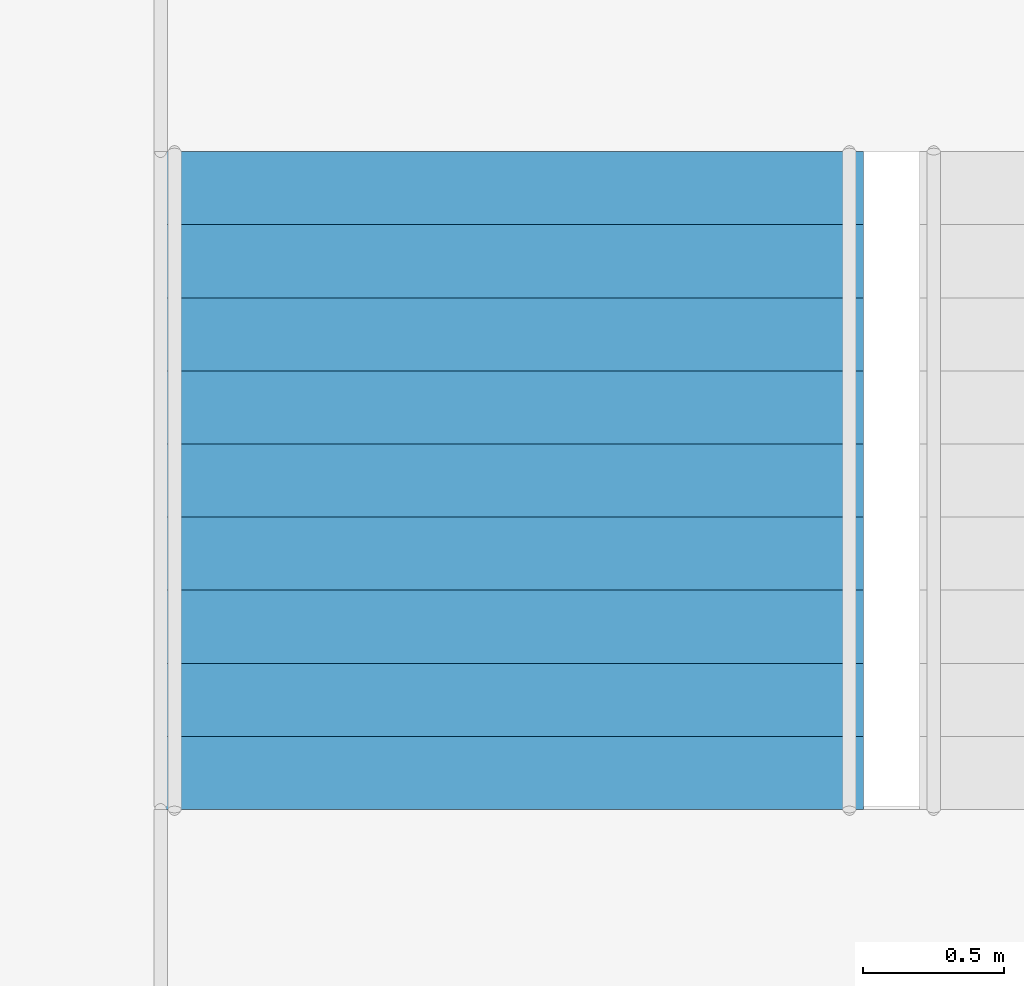
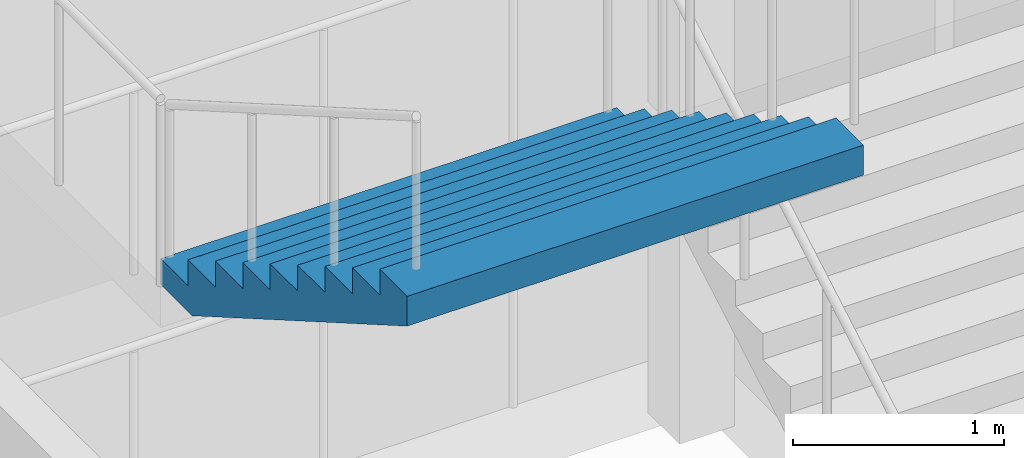
# One storey, part 47 of 100: 1 stair flight, 1 element without a shape of its own.
"""IFC4 building model written with IfcOpenShell, lengths in metres."""

from ifc_helpers import new_model, si_unit, direction, frame, origin, place, context, subcontext, project, spatial, triangles, material, type_object, element, aggregate, save


model = new_model("IFC4")

# Units and contexts
model_context = context("Model", 3, precision=1e-05, world=origin(), true_north=direction((0.0, 1.0)))
body_context = subcontext(model_context, "Body", "Model", "MODEL_VIEW")
ifc_project = project(units=[si_unit("LENGTHUNIT", "METRE"), si_unit("AREAUNIT", "SQUARE_METRE"), si_unit("VOLUMEUNIT", "CUBIC_METRE"), si_unit("PLANEANGLEUNIT", "RADIAN"), si_unit("MASSUNIT", "GRAM", prefix="KILO")], contexts=[model_context])

# Site, building, storey
site_placement = place(None, origin())
site = spatial("IfcSite", under=ifc_project, at=site_placement, CompositionType="ELEMENT")
building_placement = place(site_placement, origin())
building = spatial("IfcBuilding", under=site, at=building_placement, Name="Hakoniwa Tower and Hamabe Station Hall", CompositionType="ELEMENT")
storey_placement = place(building_placement, frame((0.0, 0.0, 9.0)))
storey = spatial("IfcBuildingStorey", under=building, at=storey_placement, Name="L02", CompositionType="ELEMENT", Elevation=9.0)

# Stair, stair flight
ifc_material_1 = material(Name="Concrete C40", Category="concrete")
stair_type = type_object("IfcStairType", Name="STAIR 2500 10X150", PredefinedType="HALF_TURN_STAIR", material=ifc_material_1)
stair_placement = place(storey_placement, origin())
stair = element("IfcStair", 1, at=stair_placement, inside=storey, type_object=stair_type, Name="Escape stair PS3", PredefinedType="HALF_TURN_STAIR")
ifc_material_2 = material(Name="Concrete C40", Category="concrete")
stair_flight_type = type_object("IfcStairFlightType", Name="STAIR FLIGHT 2500", PredefinedType="STRAIGHT", material=ifc_material_2)
stair_flight_placement = place(storey_placement, frame((45.10009765625, -20.010009765625, 4.5), z_axis=(0.0, 0.0, 1.0), x_axis=(0.0, -1.0, 0.0)))
stair_flight = element("IfcStairFlight", 2, at=stair_flight_placement, type_object=stair_flight_type, Name="PS3 flight 4", NumberOfRisers=10, NumberOfTreads=9, PredefinedType="STRAIGHT", RiserHeight=0.15, TreadLength=0.26, context=body_context, shape_type="Tessellation", body=[
    triangles([(0.0, 1.25, 0.0), (0.260009765625, 1.25, 0.0), (0.300048828125, 1.25, 0.0), (0.52001953125, 1.25, 0.126953125), (0.780029296875, 1.25, 0.27685546875), (1.0400390625, 1.25, 0.427001953125), (1.300048828125, 1.25, 0.576904296875), (1.56005859375, 1.25, 0.72705078125), (1.820068359375, 1.25, 0.876953125), (2.080078125, 1.25, 1.02685546875), (2.340087890625, 1.25, 1.177001953125), (2.340087890625, 1.25, 1.35009765625), (2.080078125, 1.25, 1.35009765625), (2.080078125, 1.25, 1.199951171875), (1.820068359375, 1.25, 1.199951171875), (1.820068359375, 1.25, 1.050048828125), (1.56005859375, 1.25, 1.050048828125), (1.56005859375, 1.25, 0.89990234375), (1.300048828125, 1.25, 0.89990234375), (1.300048828125, 1.25, 0.75), (1.0400390625, 1.25, 0.75), (1.0400390625, 1.25, 0.60009765625), (0.780029296875, 1.25, 0.60009765625), (0.780029296875, 1.25, 0.449951171875), (0.52001953125, 1.25, 0.449951171875), (0.52001953125, 1.25, 0.300048828125), (0.300048828125, 1.25, 0.300048828125), (0.260009765625, 1.25, 0.300048828125), (0.260009765625, 1.25, 0.14990234375), (0.0, 1.25, 0.14990234375), (0.0, 0.06005859375, 0.0), (0.260009765625, 0.06005859375, 0.0), (0.300048828125, 0.06005859375, 0.0), (0.52001953125, 0.06005859375, 0.126953125), (0.780029296875, 0.06005859375, 0.27685546875), (1.0400390625, 0.06005859375, 0.427001953125), (1.300048828125, 0.06005859375, 0.576904296875), (1.56005859375, 0.06005859375, 0.72705078125), (1.820068359375, 0.06005859375, 0.876953125), (2.080078125, 0.06005859375, 1.02685546875), (2.340087890625, 0.06005859375, 1.177001953125), (2.340087890625, 0.06005859375, 1.35009765625), (2.080078125, 0.06005859375, 1.35009765625), (2.080078125, 0.06005859375, 1.199951171875), (1.820068359375, 0.06005859375, 1.199951171875), (1.820068359375, 0.06005859375, 1.050048828125), (1.56005859375, 0.06005859375, 1.050048828125), (1.56005859375, 0.06005859375, 0.89990234375), (1.300048828125, 0.06005859375, 0.89990234375), (1.300048828125, 0.06005859375, 0.75), (1.0400390625, 0.06005859375, 0.75), (1.0400390625, 0.06005859375, 0.60009765625), (0.780029296875, 0.06005859375, 0.60009765625), (0.780029296875, 0.06005859375, 0.449951171875), (0.52001953125, 0.06005859375, 0.449951171875), (0.52001953125, 0.06005859375, 0.300048828125), (0.300048828125, 0.06005859375, 0.300048828125), (0.260009765625, 0.06005859375, 0.300048828125), (0.260009765625, 0.06005859375, 0.14990234375), (0.0, 0.06005859375, 0.14990234375), (0.0, 0.049072265625, 0.0), (0.260009765625, 0.049072265625, 0.0), (0.300048828125, 0.049072265625, 0.0), (0.52001953125, 0.049072265625, 0.126953125), (0.780029296875, 0.049072265625, 0.27685546875), (1.0400390625, 0.049072265625, 0.427001953125), (1.300048828125, 0.049072265625, 0.576904296875), (1.56005859375, 0.049072265625, 0.72705078125), (1.820068359375, 0.049072265625, 0.876953125), (2.080078125, 0.049072265625, 1.02685546875), (2.340087890625, 0.049072265625, 1.177001953125), (2.340087890625, 0.049072265625, 1.35009765625), (2.080078125, 0.049072265625, 1.35009765625), (2.080078125, 0.049072265625, 1.199951171875), (1.820068359375, 0.049072265625, 1.199951171875), (1.820068359375, 0.049072265625, 1.050048828125), (1.56005859375, 0.049072265625, 1.050048828125), (1.56005859375, 0.049072265625, 0.89990234375), (1.300048828125, 0.049072265625, 0.89990234375), (1.300048828125, 0.049072265625, 0.75), (1.0400390625, 0.049072265625, 0.75), (1.0400390625, 0.049072265625, 0.60009765625), (0.780029296875, 0.049072265625, 0.60009765625), (0.780029296875, 0.049072265625, 0.449951171875), (0.52001953125, 0.049072265625, 0.449951171875), (0.52001953125, 0.049072265625, 0.300048828125), (0.300048828125, 0.049072265625, 0.300048828125), (0.260009765625, 0.049072265625, 0.300048828125), (0.260009765625, 0.049072265625, 0.14990234375), (0.0, 0.049072265625, 0.14990234375), (0.0, 0.0380859375, 0.0), (0.260009765625, 0.0380859375, 0.0), (0.300048828125, 0.0380859375, 0.0), (0.52001953125, 0.0380859375, 0.126953125), (0.780029296875, 0.0380859375, 0.27685546875), (1.0400390625, 0.0380859375, 0.427001953125), (1.300048828125, 0.0380859375, 0.576904296875), (1.56005859375, 0.0380859375, 0.72705078125), (1.820068359375, 0.0380859375, 0.876953125), (2.080078125, 0.0380859375, 1.02685546875), (2.340087890625, 0.0380859375, 1.177001953125), (2.340087890625, 0.0380859375, 1.35009765625), (2.080078125, 0.0380859375, 1.35009765625), (2.080078125, 0.0380859375, 1.199951171875), (1.820068359375, 0.0380859375, 1.199951171875), (1.820068359375, 0.0380859375, 1.050048828125), (1.56005859375, 0.0380859375, 1.050048828125), (1.56005859375, 0.0380859375, 0.89990234375), (1.300048828125, 0.0380859375, 0.89990234375), (1.300048828125, 0.0380859375, 0.75), (1.0400390625, 0.0380859375, 0.75), (1.0400390625, 0.0380859375, 0.60009765625), (0.780029296875, 0.0380859375, 0.60009765625), (0.780029296875, 0.0380859375, 0.449951171875), (0.52001953125, 0.0380859375, 0.449951171875), (0.52001953125, 0.0380859375, 0.300048828125), (0.300048828125, 0.0380859375, 0.300048828125), (0.260009765625, 0.0380859375, 0.300048828125), (0.260009765625, 0.0380859375, 0.14990234375), (0.0, 0.0380859375, 0.14990234375), (0.0, 0.02734375, 0.0), (0.260009765625, 0.02734375, 0.0), (0.300048828125, 0.02734375, 0.0), (0.52001953125, 0.02734375, 0.126953125), (0.780029296875, 0.02734375, 0.27685546875), (1.0400390625, 0.02734375, 0.427001953125), (1.300048828125, 0.02734375, 0.576904296875), (1.56005859375, 0.02734375, 0.72705078125), (1.820068359375, 0.02734375, 0.876953125), (2.080078125, 0.02734375, 1.02685546875), (2.340087890625, 0.02734375, 1.177001953125), (2.340087890625, 0.02734375, 1.35009765625), (2.080078125, 0.02734375, 1.35009765625), (2.080078125, 0.02734375, 1.199951171875), (1.820068359375, 0.02734375, 1.199951171875), (1.820068359375, 0.02734375, 1.050048828125), (1.56005859375, 0.02734375, 1.050048828125), (1.56005859375, 0.02734375, 0.89990234375), (1.300048828125, 0.02734375, 0.89990234375), (1.300048828125, 0.02734375, 0.75), (1.0400390625, 0.02734375, 0.75), (1.0400390625, 0.02734375, 0.60009765625), (0.780029296875, 0.02734375, 0.60009765625), (0.780029296875, 0.02734375, 0.449951171875), (0.52001953125, 0.02734375, 0.449951171875), (0.52001953125, 0.02734375, 0.300048828125), (0.300048828125, 0.02734375, 0.300048828125), (0.260009765625, 0.02734375, 0.300048828125), (0.260009765625, 0.02734375, 0.14990234375), (0.0, 0.02734375, 0.14990234375), (0.0, 0.016357421875, 0.0), (0.260009765625, 0.016357421875, 0.0), (0.300048828125, 0.016357421875, 0.0), (0.52001953125, 0.016357421875, 0.126953125), (0.780029296875, 0.016357421875, 0.27685546875), (1.0400390625, 0.016357421875, 0.427001953125), (1.300048828125, 0.016357421875, 0.576904296875), (1.56005859375, 0.016357421875, 0.72705078125), (1.820068359375, 0.016357421875, 0.876953125), (2.080078125, 0.016357421875, 1.02685546875), (2.340087890625, 0.016357421875, 1.177001953125), (2.340087890625, 0.016357421875, 1.35009765625), (2.080078125, 0.016357421875, 1.35009765625), (2.080078125, 0.016357421875, 1.199951171875), (1.820068359375, 0.016357421875, 1.199951171875), (1.820068359375, 0.016357421875, 1.050048828125), (1.56005859375, 0.016357421875, 1.050048828125), (1.56005859375, 0.016357421875, 0.89990234375), (1.300048828125, 0.016357421875, 0.89990234375), (1.300048828125, 0.016357421875, 0.75), (1.0400390625, 0.016357421875, 0.75), (1.0400390625, 0.016357421875, 0.60009765625), (0.780029296875, 0.016357421875, 0.60009765625), (0.780029296875, 0.016357421875, 0.449951171875), (0.52001953125, 0.016357421875, 0.449951171875), (0.52001953125, 0.016357421875, 0.300048828125), (0.300048828125, 0.016357421875, 0.300048828125), (0.260009765625, 0.016357421875, 0.300048828125), (0.260009765625, 0.016357421875, 0.14990234375), (0.0, 0.016357421875, 0.14990234375), (0.0, 0.00537109375, 0.0), (0.260009765625, 0.00537109375, 0.0), (0.300048828125, 0.00537109375, 0.0), (0.52001953125, 0.00537109375, 0.126953125), (0.780029296875, 0.00537109375, 0.27685546875), (1.0400390625, 0.00537109375, 0.427001953125), (1.300048828125, 0.00537109375, 0.576904296875), (1.56005859375, 0.00537109375, 0.72705078125), (1.820068359375, 0.00537109375, 0.876953125), (2.080078125, 0.00537109375, 1.02685546875), (2.340087890625, 0.00537109375, 1.177001953125), (2.340087890625, 0.00537109375, 1.35009765625), (2.080078125, 0.00537109375, 1.35009765625), (2.080078125, 0.00537109375, 1.199951171875), (1.820068359375, 0.00537109375, 1.199951171875), (1.820068359375, 0.00537109375, 1.050048828125), (1.56005859375, 0.00537109375, 1.050048828125), (1.56005859375, 0.00537109375, 0.89990234375), (1.300048828125, 0.00537109375, 0.89990234375), (1.300048828125, 0.00537109375, 0.75), (1.0400390625, 0.00537109375, 0.75), (1.0400390625, 0.00537109375, 0.60009765625), (0.780029296875, 0.00537109375, 0.60009765625), (0.780029296875, 0.00537109375, 0.449951171875), (0.52001953125, 0.00537109375, 0.449951171875), (0.52001953125, 0.00537109375, 0.300048828125), (0.300048828125, 0.00537109375, 0.300048828125), (0.260009765625, 0.00537109375, 0.300048828125), (0.260009765625, 0.00537109375, 0.14990234375), (0.0, 0.00537109375, 0.14990234375), (0.0, -0.00537109375, 0.0), (0.260009765625, -0.00537109375, 0.0), (0.300048828125, -0.00537109375, 0.0), (0.52001953125, -0.00537109375, 0.126953125), (0.780029296875, -0.00537109375, 0.27685546875), (1.0400390625, -0.00537109375, 0.427001953125), (1.300048828125, -0.00537109375, 0.576904296875), (1.56005859375, -0.00537109375, 0.72705078125), (1.820068359375, -0.00537109375, 0.876953125), (2.080078125, -0.00537109375, 1.02685546875), (2.340087890625, -0.00537109375, 1.177001953125), (2.340087890625, -0.00537109375, 1.35009765625), (2.080078125, -0.00537109375, 1.35009765625), (2.080078125, -0.00537109375, 1.199951171875), (1.820068359375, -0.00537109375, 1.199951171875), (1.820068359375, -0.00537109375, 1.050048828125), (1.56005859375, -0.00537109375, 1.050048828125), (1.56005859375, -0.00537109375, 0.89990234375), (1.300048828125, -0.00537109375, 0.89990234375), (1.300048828125, -0.00537109375, 0.75), (1.0400390625, -0.00537109375, 0.75), (1.0400390625, -0.00537109375, 0.60009765625), (0.780029296875, -0.00537109375, 0.60009765625), (0.780029296875, -0.00537109375, 0.449951171875), (0.52001953125, -0.00537109375, 0.449951171875), (0.52001953125, -0.00537109375, 0.300048828125), (0.300048828125, -0.00537109375, 0.300048828125), (0.260009765625, -0.00537109375, 0.300048828125), (0.260009765625, -0.00537109375, 0.14990234375), (0.0, -0.00537109375, 0.14990234375), (0.0, -0.016357421875, 0.0), (0.260009765625, -0.016357421875, 0.0), (0.300048828125, -0.016357421875, 0.0), (0.52001953125, -0.016357421875, 0.126953125), (0.780029296875, -0.016357421875, 0.27685546875), (1.0400390625, -0.016357421875, 0.427001953125), (1.300048828125, -0.016357421875, 0.576904296875), (1.56005859375, -0.016357421875, 0.72705078125), (1.820068359375, -0.016357421875, 0.876953125), (2.080078125, -0.016357421875, 1.02685546875), (2.340087890625, -0.016357421875, 1.177001953125), (2.340087890625, -0.016357421875, 1.35009765625), (2.080078125, -0.016357421875, 1.35009765625), (2.080078125, -0.016357421875, 1.199951171875), (1.820068359375, -0.016357421875, 1.199951171875), (1.820068359375, -0.016357421875, 1.050048828125), (1.56005859375, -0.016357421875, 1.050048828125), (1.56005859375, -0.016357421875, 0.89990234375), (1.300048828125, -0.016357421875, 0.89990234375), (1.300048828125, -0.016357421875, 0.75), (1.0400390625, -0.016357421875, 0.75), (1.0400390625, -0.016357421875, 0.60009765625), (0.780029296875, -0.016357421875, 0.60009765625), (0.780029296875, -0.016357421875, 0.449951171875), (0.52001953125, -0.016357421875, 0.449951171875), (0.52001953125, -0.016357421875, 0.300048828125), (0.300048828125, -0.016357421875, 0.300048828125), (0.260009765625, -0.016357421875, 0.300048828125), (0.260009765625, -0.016357421875, 0.14990234375), (0.0, -0.016357421875, 0.14990234375), (0.0, -0.02734375, 0.0), (0.260009765625, -0.02734375, 0.0), (0.300048828125, -0.02734375, 0.0), (0.52001953125, -0.02734375, 0.126953125), (0.780029296875, -0.02734375, 0.27685546875), (1.0400390625, -0.02734375, 0.427001953125), (1.300048828125, -0.02734375, 0.576904296875), (1.56005859375, -0.02734375, 0.72705078125), (1.820068359375, -0.02734375, 0.876953125), (2.080078125, -0.02734375, 1.02685546875), (2.340087890625, -0.02734375, 1.177001953125), (2.340087890625, -0.02734375, 1.35009765625), (2.080078125, -0.02734375, 1.35009765625), (2.080078125, -0.02734375, 1.199951171875), (1.820068359375, -0.02734375, 1.199951171875), (1.820068359375, -0.02734375, 1.050048828125), (1.56005859375, -0.02734375, 1.050048828125), (1.56005859375, -0.02734375, 0.89990234375), (1.300048828125, -0.02734375, 0.89990234375), (1.300048828125, -0.02734375, 0.75), (1.0400390625, -0.02734375, 0.75), (1.0400390625, -0.02734375, 0.60009765625), (0.780029296875, -0.02734375, 0.60009765625), (0.780029296875, -0.02734375, 0.449951171875), (0.52001953125, -0.02734375, 0.449951171875), (0.52001953125, -0.02734375, 0.300048828125), (0.300048828125, -0.02734375, 0.300048828125), (0.260009765625, -0.02734375, 0.300048828125), (0.260009765625, -0.02734375, 0.14990234375), (0.0, -0.02734375, 0.14990234375), (0.0, -0.0380859375, 0.0), (0.260009765625, -0.0380859375, 0.0), (0.300048828125, -0.0380859375, 0.0), (0.52001953125, -0.0380859375, 0.126953125), (0.780029296875, -0.0380859375, 0.27685546875), (1.0400390625, -0.0380859375, 0.427001953125), (1.300048828125, -0.0380859375, 0.576904296875), (1.56005859375, -0.0380859375, 0.72705078125), (1.820068359375, -0.0380859375, 0.876953125), (2.080078125, -0.0380859375, 1.02685546875), (2.340087890625, -0.0380859375, 1.177001953125), (2.340087890625, -0.0380859375, 1.35009765625), (2.080078125, -0.0380859375, 1.35009765625), (2.080078125, -0.0380859375, 1.199951171875), (1.820068359375, -0.0380859375, 1.199951171875), (1.820068359375, -0.0380859375, 1.050048828125), (1.56005859375, -0.0380859375, 1.050048828125), (1.56005859375, -0.0380859375, 0.89990234375), (1.300048828125, -0.0380859375, 0.89990234375), (1.300048828125, -0.0380859375, 0.75), (1.0400390625, -0.0380859375, 0.75), (1.0400390625, -0.0380859375, 0.60009765625), (0.780029296875, -0.0380859375, 0.60009765625), (0.780029296875, -0.0380859375, 0.449951171875), (0.52001953125, -0.0380859375, 0.449951171875), (0.52001953125, -0.0380859375, 0.300048828125), (0.300048828125, -0.0380859375, 0.300048828125), (0.260009765625, -0.0380859375, 0.300048828125), (0.260009765625, -0.0380859375, 0.14990234375), (0.0, -0.0380859375, 0.14990234375), (0.0, -0.049072265625, 0.0), (0.260009765625, -0.049072265625, 0.0), (0.300048828125, -0.049072265625, 0.0), (0.52001953125, -0.049072265625, 0.126953125), (0.780029296875, -0.049072265625, 0.27685546875), (1.0400390625, -0.049072265625, 0.427001953125), (1.300048828125, -0.049072265625, 0.576904296875), (1.56005859375, -0.049072265625, 0.72705078125), (1.820068359375, -0.049072265625, 0.876953125), (2.080078125, -0.049072265625, 1.02685546875), (2.340087890625, -0.049072265625, 1.177001953125), (2.340087890625, -0.049072265625, 1.35009765625), (2.080078125, -0.049072265625, 1.35009765625), (2.080078125, -0.049072265625, 1.199951171875), (1.820068359375, -0.049072265625, 1.199951171875), (1.820068359375, -0.049072265625, 1.050048828125), (1.56005859375, -0.049072265625, 1.050048828125), (1.56005859375, -0.049072265625, 0.89990234375), (1.300048828125, -0.049072265625, 0.89990234375), (1.300048828125, -0.049072265625, 0.75), (1.0400390625, -0.049072265625, 0.75), (1.0400390625, -0.049072265625, 0.60009765625), (0.780029296875, -0.049072265625, 0.60009765625), (0.780029296875, -0.049072265625, 0.449951171875), (0.52001953125, -0.049072265625, 0.449951171875), (0.52001953125, -0.049072265625, 0.300048828125), (0.300048828125, -0.049072265625, 0.300048828125), (0.260009765625, -0.049072265625, 0.300048828125), (0.260009765625, -0.049072265625, 0.14990234375), (0.0, -0.049072265625, 0.14990234375), (0.0, -0.06005859375, 0.0), (0.260009765625, -0.06005859375, 0.0), (0.300048828125, -0.06005859375, 0.0), (0.52001953125, -0.06005859375, 0.126953125), (0.780029296875, -0.06005859375, 0.27685546875), (1.0400390625, -0.06005859375, 0.427001953125), (1.300048828125, -0.06005859375, 0.576904296875), (1.56005859375, -0.06005859375, 0.72705078125), (1.820068359375, -0.06005859375, 0.876953125), (2.080078125, -0.06005859375, 1.02685546875), (2.340087890625, -0.06005859375, 1.177001953125), (2.340087890625, -0.06005859375, 1.35009765625), (2.080078125, -0.06005859375, 1.35009765625), (2.080078125, -0.06005859375, 1.199951171875), (1.820068359375, -0.06005859375, 1.199951171875), (1.820068359375, -0.06005859375, 1.050048828125), (1.56005859375, -0.06005859375, 1.050048828125), (1.56005859375, -0.06005859375, 0.89990234375), (1.300048828125, -0.06005859375, 0.89990234375), (1.300048828125, -0.06005859375, 0.75), (1.0400390625, -0.06005859375, 0.75), (1.0400390625, -0.06005859375, 0.60009765625), (0.780029296875, -0.06005859375, 0.60009765625), (0.780029296875, -0.06005859375, 0.449951171875), (0.52001953125, -0.06005859375, 0.449951171875), (0.52001953125, -0.06005859375, 0.300048828125), (0.300048828125, -0.06005859375, 0.300048828125), (0.260009765625, -0.06005859375, 0.300048828125), (0.260009765625, -0.06005859375, 0.14990234375), (0.0, -0.06005859375, 0.14990234375), (0.0, -1.25, 0.0), (0.260009765625, -1.25, 0.0), (0.300048828125, -1.25, 0.0), (0.52001953125, -1.25, 0.126953125), (0.780029296875, -1.25, 0.27685546875), (1.0400390625, -1.25, 0.427001953125), (1.300048828125, -1.25, 0.576904296875), (1.56005859375, -1.25, 0.72705078125), (1.820068359375, -1.25, 0.876953125), (2.080078125, -1.25, 1.02685546875), (2.340087890625, -1.25, 1.177001953125), (2.340087890625, -1.25, 1.35009765625), (2.080078125, -1.25, 1.35009765625), (2.080078125, -1.25, 1.199951171875), (1.820068359375, -1.25, 1.199951171875), (1.820068359375, -1.25, 1.050048828125), (1.56005859375, -1.25, 1.050048828125), (1.56005859375, -1.25, 0.89990234375), (1.300048828125, -1.25, 0.89990234375), (1.300048828125, -1.25, 0.75), (1.0400390625, -1.25, 0.75), (1.0400390625, -1.25, 0.60009765625), (0.780029296875, -1.25, 0.60009765625), (0.780029296875, -1.25, 0.449951171875), (0.52001953125, -1.25, 0.449951171875), (0.52001953125, -1.25, 0.300048828125), (0.300048828125, -1.25, 0.300048828125), (0.260009765625, -1.25, 0.300048828125), (0.260009765625, -1.25, 0.14990234375), (0.0, -1.25, 0.14990234375)], [[2, 30, 29], [392, 419, 420], [2, 1, 30], [392, 420, 391], [3, 28, 27], [393, 417, 418], [3, 29, 28], [393, 418, 419], [3, 2, 29], [393, 419, 392], [4, 27, 26], [394, 416, 417], [4, 3, 27], [394, 417, 393], [5, 25, 24], [395, 414, 415], [5, 26, 25], [395, 415, 416], [5, 4, 26], [395, 416, 394], [6, 23, 22], [396, 412, 413], [6, 24, 23], [396, 413, 414], [6, 5, 24], [396, 414, 395], [7, 21, 20], [397, 410, 411], [7, 22, 21], [397, 411, 412], [7, 6, 22], [397, 412, 396], [8, 19, 18], [398, 408, 409], [8, 20, 19], [398, 409, 410], [8, 7, 20], [398, 410, 397], [9, 17, 16], [399, 406, 407], [9, 18, 17], [399, 407, 408], [9, 8, 18], [399, 408, 398], [10, 15, 14], [400, 404, 405], [10, 16, 15], [400, 405, 406], [10, 9, 16], [400, 406, 399], [11, 13, 12], [401, 402, 403], [11, 14, 13], [401, 403, 404], [11, 10, 14], [401, 404, 400], [1, 2, 32], [1, 32, 31], [31, 32, 62], [31, 62, 61], [61, 62, 92], [61, 92, 91], [91, 92, 122], [91, 122, 121], [121, 122, 152], [121, 152, 151], [151, 152, 182], [151, 182, 181], [181, 182, 212], [181, 212, 211], [211, 212, 242], [211, 242, 241], [241, 242, 272], [241, 272, 271], [271, 272, 302], [271, 302, 301], [301, 302, 332], [301, 332, 331], [331, 332, 362], [331, 362, 361], [361, 362, 392], [361, 392, 391], [2, 3, 33], [2, 33, 32], [32, 33, 63], [32, 63, 62], [62, 63, 93], [62, 93, 92], [92, 93, 123], [92, 123, 122], [122, 123, 153], [122, 153, 152], [152, 153, 183], [152, 183, 182], [182, 183, 213], [182, 213, 212], [212, 213, 243], [212, 243, 242], [242, 243, 273], [242, 273, 272], [272, 273, 303], [272, 303, 302], [302, 303, 333], [302, 333, 332], [332, 333, 363], [332, 363, 362], [362, 363, 393], [362, 393, 392], [3, 4, 34], [3, 34, 33], [33, 34, 64], [33, 64, 63], [63, 64, 94], [63, 94, 93], [93, 94, 124], [93, 124, 123], [123, 124, 154], [123, 154, 153], [153, 154, 184], [153, 184, 183], [183, 184, 214], [183, 214, 213], [213, 214, 244], [213, 244, 243], [243, 244, 274], [243, 274, 273], [273, 274, 304], [273, 304, 303], [303, 304, 334], [303, 334, 333], [333, 334, 364], [333, 364, 363], [363, 364, 394], [363, 394, 393], [4, 5, 35], [4, 35, 34], [34, 35, 65], [34, 65, 64], [64, 65, 95], [64, 95, 94], [94, 95, 125], [94, 125, 124], [124, 125, 155], [124, 155, 154], [154, 155, 185], [154, 185, 184], [184, 185, 215], [184, 215, 214], [214, 215, 245], [214, 245, 244], [244, 245, 275], [244, 275, 274], [274, 275, 305], [274, 305, 304], [304, 305, 335], [304, 335, 334], [334, 335, 365], [334, 365, 364], [364, 365, 395], [364, 395, 394], [5, 6, 36], [5, 36, 35], [35, 36, 66], [35, 66, 65], [65, 66, 96], [65, 96, 95], [95, 96, 126], [95, 126, 125], [125, 126, 156], [125, 156, 155], [155, 156, 186], [155, 186, 185], [185, 186, 216], [185, 216, 215], [215, 216, 246], [215, 246, 245], [245, 246, 276], [245, 276, 275], [275, 276, 306], [275, 306, 305], [305, 306, 336], [305, 336, 335], [335, 336, 366], [335, 366, 365], [365, 366, 396], [365, 396, 395], [6, 7, 37], [6, 37, 36], [36, 37, 67], [36, 67, 66], [66, 67, 97], [66, 97, 96], [96, 97, 127], [96, 127, 126], [126, 127, 157], [126, 157, 156], [156, 157, 187], [156, 187, 186], [186, 187, 217], [186, 217, 216], [216, 217, 247], [216, 247, 246], [246, 247, 277], [246, 277, 276], [276, 277, 307], [276, 307, 306], [306, 307, 337], [306, 337, 336], [336, 337, 367], [336, 367, 366], [366, 367, 397], [366, 397, 396], [7, 8, 38], [7, 38, 37], [37, 38, 68], [37, 68, 67], [67, 68, 98], [67, 98, 97], [97, 98, 128], [97, 128, 127], [127, 128, 158], [127, 158, 157], [157, 158, 188], [157, 188, 187], [187, 188, 218], [187, 218, 217], [217, 218, 248], [217, 248, 247], [247, 248, 278], [247, 278, 277], [277, 278, 308], [277, 308, 307], [307, 308, 338], [307, 338, 337], [337, 338, 368], [337, 368, 367], [367, 368, 398], [367, 398, 397], [8, 9, 39], [8, 39, 38], [38, 39, 69], [38, 69, 68], [68, 69, 99], [68, 99, 98], [98, 99, 129], [98, 129, 128], [128, 129, 159], [128, 159, 158], [158, 159, 189], [158, 189, 188], [188, 189, 219], [188, 219, 218], [218, 219, 249], [218, 249, 248], [248, 249, 279], [248, 279, 278], [278, 279, 309], [278, 309, 308], [308, 309, 339], [308, 339, 338], [338, 339, 369], [338, 369, 368], [368, 369, 399], [368, 399, 398], [9, 10, 40], [9, 40, 39], [39, 40, 70], [39, 70, 69], [69, 70, 100], [69, 100, 99], [99, 100, 130], [99, 130, 129], [129, 130, 160], [129, 160, 159], [159, 160, 190], [159, 190, 189], [189, 190, 220], [189, 220, 219], [219, 220, 250], [219, 250, 249], [249, 250, 280], [249, 280, 279], [279, 280, 310], [279, 310, 309], [309, 310, 340], [309, 340, 339], [339, 340, 370], [339, 370, 369], [369, 370, 400], [369, 400, 399], [10, 11, 41], [10, 41, 40], [40, 41, 71], [40, 71, 70], [70, 71, 101], [70, 101, 100], [100, 101, 131], [100, 131, 130], [130, 131, 161], [130, 161, 160], [160, 161, 191], [160, 191, 190], [190, 191, 221], [190, 221, 220], [220, 221, 251], [220, 251, 250], [250, 251, 281], [250, 281, 280], [280, 281, 311], [280, 311, 310], [310, 311, 341], [310, 341, 340], [340, 341, 371], [340, 371, 370], [370, 371, 401], [370, 401, 400], [11, 12, 42], [11, 42, 41], [41, 42, 72], [41, 72, 71], [71, 72, 102], [71, 102, 101], [101, 102, 132], [101, 132, 131], [131, 132, 162], [131, 162, 161], [161, 162, 192], [161, 192, 191], [191, 192, 222], [191, 222, 221], [221, 222, 252], [221, 252, 251], [251, 252, 282], [251, 282, 281], [281, 282, 312], [281, 312, 311], [311, 312, 342], [311, 342, 341], [341, 342, 372], [341, 372, 371], [371, 372, 402], [371, 402, 401], [12, 13, 43], [12, 43, 42], [42, 43, 73], [42, 73, 72], [72, 73, 103], [72, 103, 102], [102, 103, 133], [102, 133, 132], [132, 133, 163], [132, 163, 162], [162, 163, 193], [162, 193, 192], [192, 193, 223], [192, 223, 222], [222, 223, 253], [222, 253, 252], [252, 253, 283], [252, 283, 282], [282, 283, 313], [282, 313, 312], [312, 313, 343], [312, 343, 342], [342, 343, 373], [342, 373, 372], [372, 373, 403], [372, 403, 402], [13, 14, 44], [13, 44, 43], [43, 44, 74], [43, 74, 73], [73, 74, 104], [73, 104, 103], [103, 104, 134], [103, 134, 133], [133, 134, 164], [133, 164, 163], [163, 164, 194], [163, 194, 193], [193, 194, 224], [193, 224, 223], [223, 224, 254], [223, 254, 253], [253, 254, 284], [253, 284, 283], [283, 284, 314], [283, 314, 313], [313, 314, 344], [313, 344, 343], [343, 344, 374], [343, 374, 373], [373, 374, 404], [373, 404, 403], [14, 15, 45], [14, 45, 44], [44, 45, 75], [44, 75, 74], [74, 75, 105], [74, 105, 104], [104, 105, 135], [104, 135, 134], [134, 135, 165], [134, 165, 164], [164, 165, 195], [164, 195, 194], [194, 195, 225], [194, 225, 224], [224, 225, 255], [224, 255, 254], [254, 255, 285], [254, 285, 284], [284, 285, 315], [284, 315, 314], [314, 315, 345], [314, 345, 344], [344, 345, 375], [344, 375, 374], [374, 375, 405], [374, 405, 404], [15, 16, 46], [15, 46, 45], [45, 46, 76], [45, 76, 75], [75, 76, 106], [75, 106, 105], [105, 106, 136], [105, 136, 135], [135, 136, 166], [135, 166, 165], [165, 166, 196], [165, 196, 195], [195, 196, 226], [195, 226, 225], [225, 226, 256], [225, 256, 255], [255, 256, 286], [255, 286, 285], [285, 286, 316], [285, 316, 315], [315, 316, 346], [315, 346, 345], [345, 346, 376], [345, 376, 375], [375, 376, 406], [375, 406, 405], [16, 17, 47], [16, 47, 46], [46, 47, 77], [46, 77, 76], [76, 77, 107], [76, 107, 106], [106, 107, 137], [106, 137, 136], [136, 137, 167], [136, 167, 166], [166, 167, 197], [166, 197, 196], [196, 197, 227], [196, 227, 226], [226, 227, 257], [226, 257, 256], [256, 257, 287], [256, 287, 286], [286, 287, 317], [286, 317, 316], [316, 317, 347], [316, 347, 346], [346, 347, 377], [346, 377, 376], [376, 377, 407], [376, 407, 406], [17, 18, 48], [17, 48, 47], [47, 48, 78], [47, 78, 77], [77, 78, 108], [77, 108, 107], [107, 108, 138], [107, 138, 137], [137, 138, 168], [137, 168, 167], [167, 168, 198], [167, 198, 197], [197, 198, 228], [197, 228, 227], [227, 228, 258], [227, 258, 257], [257, 258, 288], [257, 288, 287], [287, 288, 318], [287, 318, 317], [317, 318, 348], [317, 348, 347], [347, 348, 378], [347, 378, 377], [377, 378, 408], [377, 408, 407], [18, 19, 49], [18, 49, 48], [48, 49, 79], [48, 79, 78], [78, 79, 109], [78, 109, 108], [108, 109, 139], [108, 139, 138], [138, 139, 169], [138, 169, 168], [168, 169, 199], [168, 199, 198], [198, 199, 229], [198, 229, 228], [228, 229, 259], [228, 259, 258], [258, 259, 289], [258, 289, 288], [288, 289, 319], [288, 319, 318], [318, 319, 349], [318, 349, 348], [348, 349, 379], [348, 379, 378], [378, 379, 409], [378, 409, 408], [19, 20, 50], [19, 50, 49], [49, 50, 80], [49, 80, 79], [79, 80, 110], [79, 110, 109], [109, 110, 140], [109, 140, 139], [139, 140, 170], [139, 170, 169], [169, 170, 200], [169, 200, 199], [199, 200, 230], [199, 230, 229], [229, 230, 260], [229, 260, 259], [259, 260, 290], [259, 290, 289], [289, 290, 320], [289, 320, 319], [319, 320, 350], [319, 350, 349], [349, 350, 380], [349, 380, 379], [379, 380, 410], [379, 410, 409], [20, 21, 51], [20, 51, 50], [50, 51, 81], [50, 81, 80], [80, 81, 111], [80, 111, 110], [110, 111, 141], [110, 141, 140], [140, 141, 171], [140, 171, 170], [170, 171, 201], [170, 201, 200], [200, 201, 231], [200, 231, 230], [230, 231, 261], [230, 261, 260], [260, 261, 291], [260, 291, 290], [290, 291, 321], [290, 321, 320], [320, 321, 351], [320, 351, 350], [350, 351, 381], [350, 381, 380], [380, 381, 411], [380, 411, 410], [21, 22, 52], [21, 52, 51], [51, 52, 82], [51, 82, 81], [81, 82, 112], [81, 112, 111], [111, 112, 142], [111, 142, 141], [141, 142, 172], [141, 172, 171], [171, 172, 202], [171, 202, 201], [201, 202, 232], [201, 232, 231], [231, 232, 262], [231, 262, 261], [261, 262, 292], [261, 292, 291], [291, 292, 322], [291, 322, 321], [321, 322, 352], [321, 352, 351], [351, 352, 382], [351, 382, 381], [381, 382, 412], [381, 412, 411], [22, 23, 53], [22, 53, 52], [52, 53, 83], [52, 83, 82], [82, 83, 113], [82, 113, 112], [112, 113, 143], [112, 143, 142], [142, 143, 173], [142, 173, 172], [172, 173, 203], [172, 203, 202], [202, 203, 233], [202, 233, 232], [232, 233, 263], [232, 263, 262], [262, 263, 293], [262, 293, 292], [292, 293, 323], [292, 323, 322], [322, 323, 353], [322, 353, 352], [352, 353, 383], [352, 383, 382], [382, 383, 413], [382, 413, 412], [23, 24, 54], [23, 54, 53], [53, 54, 84], [53, 84, 83], [83, 84, 114], [83, 114, 113], [113, 114, 144], [113, 144, 143], [143, 144, 174], [143, 174, 173], [173, 174, 204], [173, 204, 203], [203, 204, 234], [203, 234, 233], [233, 234, 264], [233, 264, 263], [263, 264, 294], [263, 294, 293], [293, 294, 324], [293, 324, 323], [323, 324, 354], [323, 354, 353], [353, 354, 384], [353, 384, 383], [383, 384, 414], [383, 414, 413], [24, 25, 55], [24, 55, 54], [54, 55, 85], [54, 85, 84], [84, 85, 115], [84, 115, 114], [114, 115, 145], [114, 145, 144], [144, 145, 175], [144, 175, 174], [174, 175, 205], [174, 205, 204], [204, 205, 235], [204, 235, 234], [234, 235, 265], [234, 265, 264], [264, 265, 295], [264, 295, 294], [294, 295, 325], [294, 325, 324], [324, 325, 355], [324, 355, 354], [354, 355, 385], [354, 385, 384], [384, 385, 415], [384, 415, 414], [25, 26, 56], [25, 56, 55], [55, 56, 86], [55, 86, 85], [85, 86, 116], [85, 116, 115], [115, 116, 146], [115, 146, 145], [145, 146, 176], [145, 176, 175], [175, 176, 206], [175, 206, 205], [205, 206, 236], [205, 236, 235], [235, 236, 266], [235, 266, 265], [265, 266, 296], [265, 296, 295], [295, 296, 326], [295, 326, 325], [325, 326, 356], [325, 356, 355], [355, 356, 386], [355, 386, 385], [385, 386, 416], [385, 416, 415], [26, 27, 57], [26, 57, 56], [56, 57, 87], [56, 87, 86], [86, 87, 117], [86, 117, 116], [116, 117, 147], [116, 147, 146], [146, 147, 177], [146, 177, 176], [176, 177, 207], [176, 207, 206], [206, 207, 237], [206, 237, 236], [236, 237, 267], [236, 267, 266], [266, 267, 297], [266, 297, 296], [296, 297, 327], [296, 327, 326], [326, 327, 357], [326, 357, 356], [356, 357, 387], [356, 387, 386], [386, 387, 417], [386, 417, 416], [27, 28, 58], [27, 58, 57], [57, 58, 88], [57, 88, 87], [87, 88, 118], [87, 118, 117], [117, 118, 148], [117, 148, 147], [147, 148, 178], [147, 178, 177], [177, 178, 208], [177, 208, 207], [207, 208, 238], [207, 238, 237], [237, 238, 268], [237, 268, 267], [267, 268, 298], [267, 298, 297], [297, 298, 328], [297, 328, 327], [327, 328, 358], [327, 358, 357], [357, 358, 388], [357, 388, 387], [387, 388, 418], [387, 418, 417], [28, 29, 59], [28, 59, 58], [58, 59, 89], [58, 89, 88], [88, 89, 119], [88, 119, 118], [118, 119, 149], [118, 149, 148], [148, 149, 179], [148, 179, 178], [178, 179, 209], [178, 209, 208], [208, 209, 239], [208, 239, 238], [238, 239, 269], [238, 269, 268], [268, 269, 299], [268, 299, 298], [298, 299, 329], [298, 329, 328], [328, 329, 359], [328, 359, 358], [358, 359, 389], [358, 389, 388], [388, 389, 419], [388, 419, 418], [29, 30, 60], [29, 60, 59], [59, 60, 90], [59, 90, 89], [89, 90, 120], [89, 120, 119], [119, 120, 150], [119, 150, 149], [149, 150, 180], [149, 180, 179], [179, 180, 210], [179, 210, 209], [209, 210, 240], [209, 240, 239], [239, 240, 270], [239, 270, 269], [269, 270, 300], [269, 300, 299], [299, 300, 330], [299, 330, 329], [329, 330, 360], [329, 360, 359], [359, 360, 390], [359, 390, 389], [389, 390, 420], [389, 420, 419], [30, 1, 31], [30, 31, 60], [60, 31, 61], [60, 61, 90], [90, 61, 91], [90, 91, 120], [120, 91, 121], [120, 121, 150], [150, 121, 151], [150, 151, 180], [180, 151, 181], [180, 181, 210], [210, 181, 211], [210, 211, 240], [240, 211, 241], [240, 241, 270], [270, 241, 271], [270, 271, 300], [300, 271, 301], [300, 301, 330], [330, 301, 331], [330, 331, 360], [360, 331, 361], [360, 361, 390], [390, 361, 391], [390, 391, 420]], closed=True),
])
aggregate(stair, [stair_flight])

save(model, "model.ifc")
